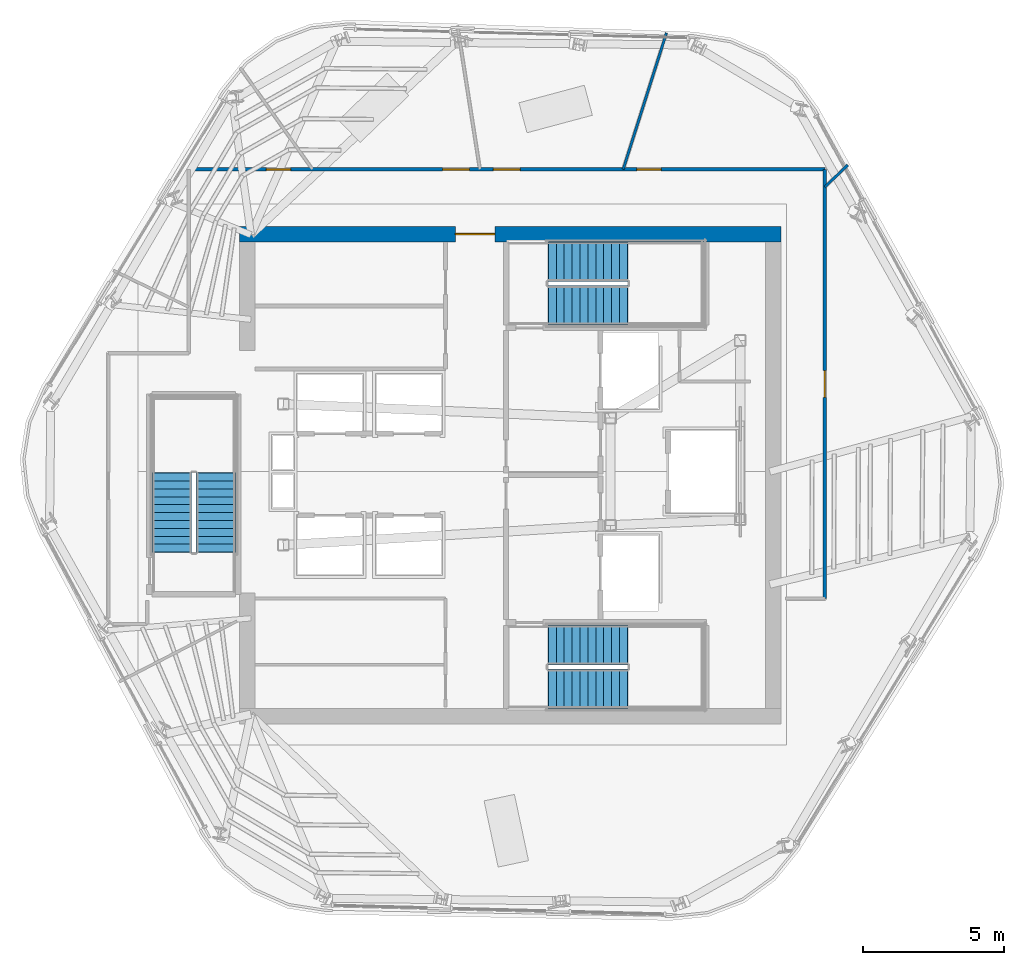
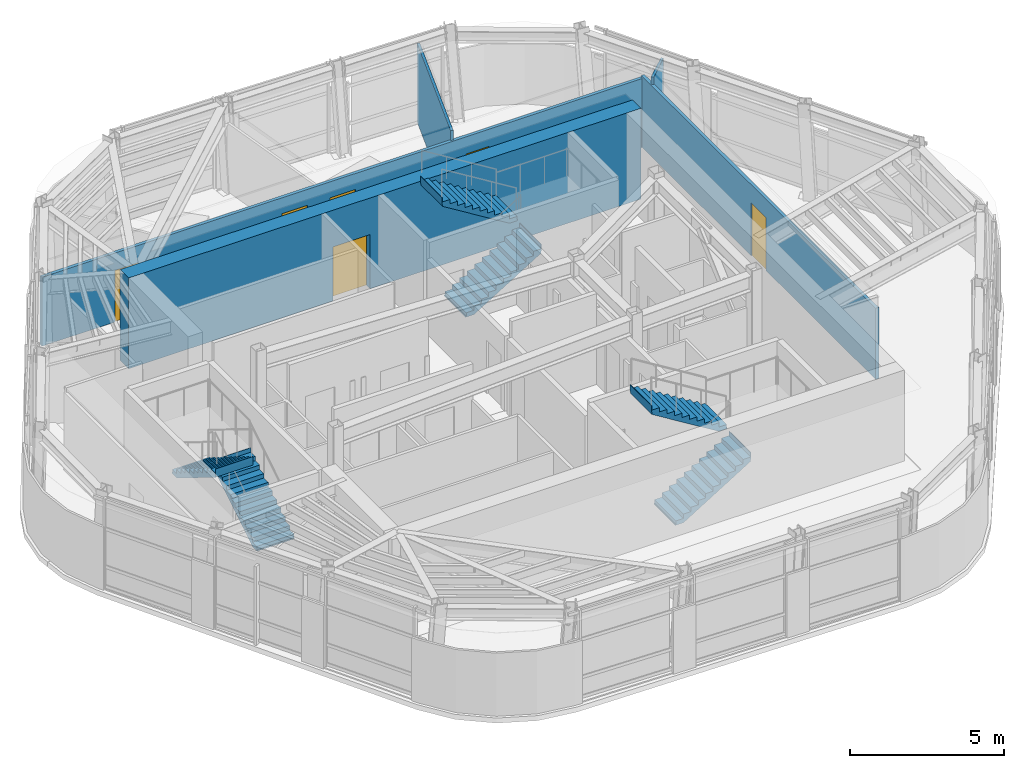
# One storey, part 8 of 13: 6 doors, 6 stair flights, 5 walls, 6 openings, 3 elements without a shape of their own.
"""IFC4 building model written with IfcOpenShell, lengths in metres."""

from ifc_helpers import new_model, si_unit, direction, frame, frame_2d, origin, place, context, subcontext, project, spatial, polyline, rectangle, outline, extrude, material, layer, layer_set, type_object, element, fill, aggregate, save


model = new_model("IFC4")

# Units and contexts
model_context = context("Model", 3, precision=1e-05, world=origin(), true_north=direction((0.0, 1.0)))
body_context = subcontext(model_context, "Body", "Model", "MODEL_VIEW")
ifc_project = project(units=[si_unit("LENGTHUNIT", "METRE"), si_unit("AREAUNIT", "SQUARE_METRE"), si_unit("VOLUMEUNIT", "CUBIC_METRE"), si_unit("PLANEANGLEUNIT", "RADIAN"), si_unit("MASSUNIT", "GRAM", prefix="KILO")], contexts=[model_context])

# Site, building, storey
site_placement = place(None, origin())
site = spatial("IfcSite", under=ifc_project, at=site_placement, CompositionType="ELEMENT")
building_placement = place(site_placement, origin())
building = spatial("IfcBuilding", under=site, at=building_placement, Name="Valkerne Bourse Tower", CompositionType="ELEMENT")
storey_placement = place(building_placement, frame((0.0, 0.0, 277.39990234375)))
storey = spatial("IfcBuildingStorey", under=building, at=storey_placement, Name="L70", CompositionType="ELEMENT", Elevation=277.39990234375)

# Wall, opening, door
ifc_material_1 = material(Name="Concrete C55/67", Category="concrete")
ifc_layer_1 = layer(ifc_material_1, 0.550048828125)
ifc_layer_set_1 = layer_set([ifc_layer_1], Name="Concrete C55/67")
wall_type_1 = type_object("IfcWallType", Name="W-CORE-550", PredefinedType="SHEAR", material=ifc_layer_set_1)
wall_1_placement = place(storey_placement, frame((37.199951171875, 35.425048828125, 0.0), z_axis=(0.0, 0.0, 1.0), x_axis=(1.0, 0.0, 0.0)))
wall_1 = element("IfcWall", 1, at=wall_1_placement, inside=storey, type_object=wall_type_1, Name="L70 Core Shear Wall NORTH", PredefinedType="SHEAR", context=body_context, shape_type="SweptSolid", body=[
    extrude(rectangle(XDim=19.199951171875, YDim=0.550048828125, at=frame_2d((9.60009765625, 0.0))), origin(), (0.0, 0.0, 1.0), 3.60009765625),
])
opening_1_placement = place(wall_1_placement, frame((7.64990234375, 0.0, 0.0)))
opening_1 = element("IfcOpeningElement", 2, at=opening_1_placement, cuts=wall_1, Name="Opening D-PL-1400", PredefinedType="OPENING", context=body_context, shape_type="SweptSolid", body=[
    extrude(rectangle(XDim=1.39990234375, YDim=2.14990234375, at=frame_2d((0.699951171875, 1.074951171875))), frame((0.0, 0.284912109375, 0.0), z_axis=(0.0, -1.0, 0.0), x_axis=(1.0, 0.0, 0.0)), (0.0, 0.0, 1.0), 0.570068359375),
])
ifc_material_2 = material(Name="Galvanised Painted Steel", Category="steel")
door_type_1 = type_object("IfcDoorType", Name="DR-PLT-1400", OperationType="DOUBLE_DOOR_SINGLE_SWING", PredefinedType="DOOR", material=ifc_material_2)
door_1_placement = place(opening_1_placement, origin())
door_1 = element("IfcDoor", 3, at=door_1_placement, inside=storey, type_object=door_type_1, Name="L70 North Passenger Lift Hall Fire Door", OperationType="DOUBLE_DOOR_SINGLE_SWING", OverallHeight=2.14990234375, OverallWidth=1.39990234375, PredefinedType="DOOR", context=body_context, shape_type="SweptSolid", body=[
    extrude(rectangle(XDim=1.39990234375, YDim=2.14990234375, at=frame_2d((0.699951171875, 1.074951171875))), frame((0.0, 0.02490234375, 0.0), z_axis=(0.0, -1.0, 0.0), x_axis=(1.0, 0.0, 0.0)), (0.0, 0.0, 1.0), 0.050048828125),
])
fill(opening_1, door_1)

# Wall, openings, doors
ifc_material_3 = material(Name="Gypsum Board Steel-Stud Partition", Category="steel")
ifc_layer_2 = layer(ifc_material_3, 0.117919921875)
ifc_layer_set_2 = layer_set([ifc_layer_2], Name="Gypsum Board Steel-Stud Partition")
wall_type_2 = type_object("IfcWallType", Name="W-CORR-140", PredefinedType="PARTITIONING", material=ifc_layer_set_2)
wall_2_placement = place(storey_placement, frame((35.39990234375, 37.719970703125, 0.0), z_axis=(0.0, 0.0, 1.0), x_axis=(1.0, 0.0, 0.0)))
wall_2 = element("IfcWall", 4, at=wall_2_placement, inside=storey, type_object=wall_type_2, Name="L70 Corridor Enclosure Wall", PredefinedType="PARTITIONING", context=body_context, shape_type="SweptSolid", body=[
    extrude(rectangle(XDim=22.550048828125, YDim=0.117919921875, at=frame_2d((11.27490234375, 0.0))), origin(), (0.0, 0.0, 1.0), 2.7314453125),
])
opening_2_placement = place(wall_2_placement, frame((2.7451171875, 0.0, 0.0)))
opening_2 = element("IfcOpeningElement", 5, at=opening_2_placement, cuts=wall_2, Name="Opening D-WC-900", PredefinedType="OPENING", context=body_context, shape_type="SweptSolid", body=[
    extrude(rectangle(XDim=0.860107421875, YDim=2.050048828125, at=frame_2d((0.43017578125, 1.02490234375))), frame((0.0, 0.06884765625, 0.0), z_axis=(0.0, -1.0, 0.0), x_axis=(1.0, 0.0, 0.0)), (0.0, 0.0, 1.0), 0.137939453125),
])
opening_3_placement = place(wall_2_placement, frame((15.885009765625, 0.0, 0.0)))
opening_3 = element("IfcOpeningElement", 6, at=opening_3_placement, cuts=wall_2, Name="Opening D-WC-900", PredefinedType="OPENING", context=body_context, shape_type="SweptSolid", body=[
    extrude(rectangle(XDim=0.860107421875, YDim=2.050048828125, at=frame_2d((0.43017578125, 1.02490234375))), frame((0.0, 0.06884765625, 0.0), z_axis=(0.0, -1.0, 0.0), x_axis=(1.0, 0.0, 0.0)), (0.0, 0.0, 1.0), 0.137939453125),
])
opening_4_placement = place(wall_2_placement, frame((10.800048828125, 0.0, 0.0)))
opening_4 = element("IfcOpeningElement", 7, at=opening_4_placement, cuts=wall_2, Name="Opening D-OF-950", PredefinedType="OPENING", context=body_context, shape_type="SweptSolid", body=[
    extrude(rectangle(XDim=0.949951171875, YDim=2.10009765625, at=frame_2d((0.47509765625, 1.050048828125))), frame((0.0, 0.06884765625, 0.0), z_axis=(0.0, -1.0, 0.0), x_axis=(1.0, 0.0, 0.0)), (0.0, 0.0, 1.0), 0.137939453125),
])
opening_5_placement = place(wall_2_placement, frame((9.0, 0.0, 0.0)))
opening_5 = element("IfcOpeningElement", 8, at=opening_5_placement, cuts=wall_2, Name="Opening D-OF-950", PredefinedType="OPENING", context=body_context, shape_type="SweptSolid", body=[
    extrude(rectangle(XDim=0.949951171875, YDim=2.10009765625, at=frame_2d((0.47509765625, 1.050048828125))), frame((0.0, 0.06884765625, 0.0), z_axis=(0.0, -1.0, 0.0), x_axis=(1.0, 0.0, 0.0)), (0.0, 0.0, 1.0), 0.137939453125),
])
ifc_material_4 = material(Name="Architectural White Oak Timber", Category="wood")
door_type_2 = type_object("IfcDoorType", Name="DR-OFF-950", OperationType="NOTDEFINED", PredefinedType="DOOR", material=ifc_material_4)
door_2_placement = place(opening_4_placement, origin())
door_2 = element("IfcDoor", 9, at=door_2_placement, inside=storey, type_object=door_type_2, Name="L70 L70 Trading Desk Office 3 Door", OperationType="SINGLE_SWING_LEFT", OverallHeight=2.10009765625, OverallWidth=0.949951171875, PredefinedType="DOOR", context=body_context, shape_type="SweptSolid", body=[
    extrude(rectangle(XDim=0.949951171875, YDim=2.10009765625, at=frame_2d((0.47509765625, 1.050048828125))), frame((0.0, 0.02490234375, 0.0), z_axis=(0.0, -1.0, 0.0), x_axis=(1.0, 0.0, 0.0)), (0.0, 0.0, 1.0), 0.050048828125),
])
fill(opening_4, door_2)
door_3_placement = place(opening_5_placement, origin())
door_3 = element("IfcDoor", 10, at=door_3_placement, inside=storey, type_object=door_type_2, Name="L70 L70 Trading Desk Office 4 Door", OperationType="SINGLE_SWING_LEFT", OverallHeight=2.10009765625, OverallWidth=0.949951171875, PredefinedType="DOOR", context=body_context, shape_type="SweptSolid", body=[
    extrude(rectangle(XDim=0.949951171875, YDim=2.10009765625, at=frame_2d((0.47509765625, 1.050048828125))), frame((0.0, 0.02490234375, 0.0), z_axis=(0.0, -1.0, 0.0), x_axis=(1.0, 0.0, 0.0)), (0.0, 0.0, 1.0), 0.050048828125),
])
fill(opening_5, door_3)
door_type_3 = type_object("IfcDoorType", Name="DR-WC-900", OperationType="NOTDEFINED", PredefinedType="DOOR", material=ifc_material_4)
door_4_placement = place(opening_2_placement, origin())
door_4 = element("IfcDoor", 11, at=door_4_placement, inside=storey, type_object=door_type_3, Name="L70 L70 Men Bathroom WC 1 Door", OperationType="SINGLE_SWING_LEFT", OverallHeight=2.050048828125, OverallWidth=0.860107421875, PredefinedType="DOOR", context=body_context, shape_type="SweptSolid", body=[
    extrude(rectangle(XDim=0.860107421875, YDim=2.050048828125, at=frame_2d((0.43017578125, 1.02490234375))), frame((0.0, 0.02490234375, 0.0), z_axis=(0.0, -1.0, 0.0), x_axis=(1.0, 0.0, 0.0)), (0.0, 0.0, 1.0), 0.050048828125),
])
fill(opening_2, door_4)
door_5_placement = place(opening_3_placement, origin())
door_5 = element("IfcDoor", 12, at=door_5_placement, inside=storey, type_object=door_type_3, Name="L70 L70 Women Restroom & Shower WC 2 Door", OperationType="SINGLE_SWING_LEFT", OverallHeight=2.050048828125, OverallWidth=0.860107421875, PredefinedType="DOOR", context=body_context, shape_type="SweptSolid", body=[
    extrude(rectangle(XDim=0.860107421875, YDim=2.050048828125, at=frame_2d((0.43017578125, 1.02490234375))), frame((0.0, 0.02490234375, 0.0), z_axis=(0.0, -1.0, 0.0), x_axis=(1.0, 0.0, 0.0)), (0.0, 0.0, 1.0), 0.050048828125),
])
fill(opening_3, door_5)

# Wall, opening, door
wall_3_placement = place(storey_placement, frame((57.949951171875, 37.719970703125, 0.0), z_axis=(0.0, 0.0, 1.0), x_axis=(0.0, -1.0, 0.0)))
wall_3 = element("IfcWall", 13, at=wall_3_placement, inside=storey, type_object=wall_type_2, Name="L70 Corridor Enclosure Wall", PredefinedType="PARTITIONING", context=body_context, shape_type="SweptSolid", body=[
    extrude(rectangle(XDim=15.219970703125, YDim=0.117919921875, at=frame_2d((7.60986328125, 0.0))), origin(), (0.0, 0.0, 1.0), 2.820556640625),
])
opening_6_placement = place(wall_3_placement, frame((7.135009765625, 0.0, 0.0)))
opening_6 = element("IfcOpeningElement", 14, at=opening_6_placement, cuts=wall_3, Name="Opening D-OF-950", PredefinedType="OPENING", context=body_context, shape_type="SweptSolid", body=[
    extrude(rectangle(XDim=0.949951171875, YDim=2.10009765625, at=frame_2d((0.47509765625, 1.050048828125))), frame((0.0, 0.06884765625, 0.0), z_axis=(0.0, -1.0, 0.0), x_axis=(1.0, 0.0, 0.0)), (0.0, 0.0, 1.0), 0.137939453125),
])
door_6_placement = place(opening_6_placement, origin())
door_6 = element("IfcDoor", 15, at=door_6_placement, inside=storey, type_object=door_type_2, Name="L70 L70 Commodities Market Showroom 6 Door", OperationType="SINGLE_SWING_RIGHT", OverallHeight=2.10009765625, OverallWidth=0.949951171875, PredefinedType="DOOR", context=body_context, shape_type="SweptSolid", body=[
    extrude(rectangle(XDim=0.949951171875, YDim=2.10009765625, at=frame_2d((0.47509765625, 1.050048828125))), frame((0.0, 0.02490234375, 0.0), z_axis=(0.0, -1.0, 0.0), x_axis=(1.0, 0.0, 0.0)), (0.0, 0.0, 1.0), 0.050048828125),
])
fill(opening_6, door_6)

# Walls
ifc_layer_3 = layer(ifc_material_3, 0.092041015625)
ifc_layer_set_3 = layer_set([ifc_layer_3], Name="Gypsum Board Steel-Stud Partition")
wall_type_3 = type_object("IfcWallType", Name="W-PART-115", PredefinedType="PARTITIONING", material=ifc_layer_set_3)
wall_4_placement = place(storey_placement, frame((50.80224609375, 37.72509765625, 0.0), z_axis=(0.0, 0.0, 1.0), x_axis=(0.302361194891, 0.953193426238, 0.0)))
element("IfcWall", 16, at=wall_4_placement, inside=storey, type_object=wall_type_3, Name="L70 Suite Partition P01", PredefinedType="PARTITIONING", context=body_context, shape_type="SweptSolid", body=[
    extrude(rectangle(XDim=5.072265625, YDim=0.092041015625, at=frame_2d((2.5361328125, 0.0))), origin(), (0.0, 0.0, 1.0), 3.114990234375),
])
wall_5_placement = place(storey_placement, frame((57.955078125, 37.0986328125, 0.0), z_axis=(0.0, 0.0, 1.0), x_axis=(0.722519623707, 0.691350412858, 0.0)))
element("IfcWall", 17, at=wall_5_placement, inside=storey, type_object=wall_type_3, Name="L70 Suite Partition P06", PredefinedType="PARTITIONING", context=body_context, shape_type="SweptSolid", body=[
    extrude(rectangle(XDim=1.1279296875, YDim=0.092041015625, at=frame_2d((0.56396484375, 0.0))), origin(), (0.0, 0.0, 1.0), 3.114990234375),
])

# Stair, stair flights
ifc_material_5 = material(Name="Concrete C40/50", Category="concrete")
stair_type = type_object("IfcStairType", Name="ST-CORE-1400", PredefinedType="HALF_TURN_STAIR", material=ifc_material_5)
stair_1_placement = place(storey_placement, origin())
stair_1 = element("IfcStair", 18, at=stair_1_placement, inside=storey, type_object=stair_type, Name="L70 ST-1", PredefinedType="HALF_TURN_STAIR")
stair_flight_type = type_object("IfcStairFlightType", Name="STF-CORE-1400", PredefinedType="STRAIGHT", material=ifc_material_5)
stair_flight_1_placement = place(storey_placement, frame((48.14990234375, 19.300048828125, 0.0), z_axis=(0.0, 0.0, 1.0), x_axis=(1.0, 0.0, 0.0)))
stair_flight_1 = element("IfcStairFlight", 19, at=stair_flight_1_placement, type_object=stair_flight_type, Name="ST-1 flight 1", NumberOfRisers=11, NumberOfTreads=10, PredefinedType="STRAIGHT", RiserHeight=0.172727273, TreadLength=0.28, context=body_context, shape_type="SweptSolid", body=[
    extrude(outline(polyline([(-0.02001953125, 0.0), (-0.02001953125, 0.044921875), (0.0, 0.044921875), (0.0, 0.172607421875), (0.280029296875, 0.172607421875), (0.280029296875, 0.345458984375), (0.56005859375, 0.345458984375), (0.56005859375, 0.51806640625), (0.840087890625, 0.51806640625), (0.840087890625, 0.69091796875), (1.1201171875, 0.69091796875), (1.1201171875, 0.863525390625), (1.39990234375, 0.863525390625), (1.39990234375, 1.036376953125), (1.679931640625, 1.036376953125), (1.679931640625, 1.208984375), (1.9599609375, 1.208984375), (1.9599609375, 1.3818359375), (2.239990234375, 1.3818359375), (2.239990234375, 1.554443359375), (2.52001953125, 1.554443359375), (2.52001953125, 1.727294921875), (2.800048828125, 1.727294921875), (2.800048828125, 1.89990234375), (2.820068359375, 1.89990234375), (2.820068359375, 1.780029296875), (2.800048828125, 1.551025390625), (0.285400390625, 0.0), (-0.02001953125, 0.0)])), frame((0.0, 0.699951171875, 0.0), z_axis=(0.0, -1.0, 0.0), x_axis=(1.0, 0.0, 0.0)), (0.0, 0.0, 1.0), 1.39990234375),
])
stair_flight_2_placement = place(storey_placement, frame((50.949951171875, 20.85009765625, 1.900146484375), z_axis=(0.0, 0.0, 1.0), x_axis=(-1.0, 0.0, 0.0)))
stair_flight_2 = element("IfcStairFlight", 20, at=stair_flight_2_placement, type_object=stair_flight_type, Name="ST-1 flight 2", NumberOfRisers=11, NumberOfTreads=10, PredefinedType="STRAIGHT", RiserHeight=0.172727273, TreadLength=0.28, context=body_context, shape_type="SweptSolid", body=[
    extrude(outline(polyline([(-0.02001953125, 0.0), (-0.02001953125, 0.044921875), (0.0, 0.044921875), (0.0, 0.172607421875), (0.280029296875, 0.172607421875), (0.280029296875, 0.345458984375), (0.56005859375, 0.345458984375), (0.56005859375, 0.51806640625), (0.840087890625, 0.51806640625), (0.840087890625, 0.69091796875), (1.1201171875, 0.69091796875), (1.1201171875, 0.863525390625), (1.39990234375, 0.863525390625), (1.39990234375, 1.036376953125), (1.679931640625, 1.036376953125), (1.679931640625, 1.208984375), (1.9599609375, 1.208984375), (1.9599609375, 1.3818359375), (2.239990234375, 1.3818359375), (2.239990234375, 1.554443359375), (2.52001953125, 1.554443359375), (2.52001953125, 1.727294921875), (2.800048828125, 1.727294921875), (2.800048828125, 1.89990234375), (2.820068359375, 1.89990234375), (2.820068359375, 1.780029296875), (2.800048828125, 1.551025390625), (0.285400390625, 0.0), (-0.02001953125, 0.0)])), frame((0.0, 0.699951171875, 0.0), z_axis=(0.0, -1.0, 0.0), x_axis=(1.0, 0.0, 0.0)), (0.0, 0.0, 1.0), 1.39990234375),
])
aggregate(stair_1, [stair_flight_1, stair_flight_2])

stair_2_placement = place(storey_placement, origin())
stair_2 = element("IfcStair", 21, at=stair_2_placement, inside=storey, type_object=stair_type, Name="L70 ST-2", PredefinedType="HALF_TURN_STAIR")
stair_flight_3_placement = place(storey_placement, frame((48.14990234375, 32.89990234375, 0.0), z_axis=(0.0, 0.0, 1.0), x_axis=(1.0, 0.0, 0.0)))
stair_flight_3 = element("IfcStairFlight", 22, at=stair_flight_3_placement, type_object=stair_flight_type, Name="ST-2 flight 1", NumberOfRisers=11, NumberOfTreads=10, PredefinedType="STRAIGHT", RiserHeight=0.172727273, TreadLength=0.28, context=body_context, shape_type="SweptSolid", body=[
    extrude(outline(polyline([(-0.02001953125, 0.0), (-0.02001953125, 0.044921875), (0.0, 0.044921875), (0.0, 0.172607421875), (0.280029296875, 0.172607421875), (0.280029296875, 0.345458984375), (0.56005859375, 0.345458984375), (0.56005859375, 0.51806640625), (0.840087890625, 0.51806640625), (0.840087890625, 0.69091796875), (1.1201171875, 0.69091796875), (1.1201171875, 0.863525390625), (1.39990234375, 0.863525390625), (1.39990234375, 1.036376953125), (1.679931640625, 1.036376953125), (1.679931640625, 1.208984375), (1.9599609375, 1.208984375), (1.9599609375, 1.3818359375), (2.239990234375, 1.3818359375), (2.239990234375, 1.554443359375), (2.52001953125, 1.554443359375), (2.52001953125, 1.727294921875), (2.800048828125, 1.727294921875), (2.800048828125, 1.89990234375), (2.820068359375, 1.89990234375), (2.820068359375, 1.780029296875), (2.800048828125, 1.551025390625), (0.285400390625, 0.0), (-0.02001953125, 0.0)])), frame((0.0, 0.699951171875, 0.0), z_axis=(0.0, -1.0, 0.0), x_axis=(1.0, 0.0, 0.0)), (0.0, 0.0, 1.0), 1.39990234375),
])
stair_flight_4_placement = place(storey_placement, frame((50.949951171875, 34.449951171875, 1.900146484375), z_axis=(0.0, 0.0, 1.0), x_axis=(-1.0, 0.0, 0.0)))
stair_flight_4 = element("IfcStairFlight", 23, at=stair_flight_4_placement, type_object=stair_flight_type, Name="ST-2 flight 2", NumberOfRisers=11, NumberOfTreads=10, PredefinedType="STRAIGHT", RiserHeight=0.172727273, TreadLength=0.28, context=body_context, shape_type="SweptSolid", body=[
    extrude(outline(polyline([(-0.02001953125, 0.0), (-0.02001953125, 0.044921875), (0.0, 0.044921875), (0.0, 0.172607421875), (0.280029296875, 0.172607421875), (0.280029296875, 0.345458984375), (0.56005859375, 0.345458984375), (0.56005859375, 0.51806640625), (0.840087890625, 0.51806640625), (0.840087890625, 0.69091796875), (1.1201171875, 0.69091796875), (1.1201171875, 0.863525390625), (1.39990234375, 0.863525390625), (1.39990234375, 1.036376953125), (1.679931640625, 1.036376953125), (1.679931640625, 1.208984375), (1.9599609375, 1.208984375), (1.9599609375, 1.3818359375), (2.239990234375, 1.3818359375), (2.239990234375, 1.554443359375), (2.52001953125, 1.554443359375), (2.52001953125, 1.727294921875), (2.800048828125, 1.727294921875), (2.800048828125, 1.89990234375), (2.820068359375, 1.89990234375), (2.820068359375, 1.780029296875), (2.800048828125, 1.551025390625), (0.285400390625, 0.0), (-0.02001953125, 0.0)])), frame((0.0, 0.699951171875, 0.0), z_axis=(0.0, -1.0, 0.0), x_axis=(1.0, 0.0, 0.0)), (0.0, 0.0, 1.0), 1.39990234375),
])
aggregate(stair_2, [stair_flight_3, stair_flight_4])

stair_3_placement = place(storey_placement, origin())
stair_3 = element("IfcStair", 24, at=stair_3_placement, inside=storey, type_object=stair_type, Name="L70 ST-3", PredefinedType="HALF_TURN_STAIR")
stair_flight_5_placement = place(storey_placement, frame((36.35009765625, 24.14990234375, 0.0), z_axis=(0.0, 0.0, 1.0), x_axis=(0.0, 1.0, 0.0)))
stair_flight_5 = element("IfcStairFlight", 25, at=stair_flight_5_placement, type_object=stair_flight_type, Name="ST-3 flight 1", NumberOfRisers=11, NumberOfTreads=10, PredefinedType="STRAIGHT", RiserHeight=0.172727273, TreadLength=0.28, context=body_context, shape_type="SweptSolid", body=[
    extrude(outline(polyline([(-0.02001953125, 0.0), (-0.02001953125, 0.044921875), (0.0, 0.044921875), (0.0, 0.172607421875), (0.280029296875, 0.172607421875), (0.280029296875, 0.345458984375), (0.56005859375, 0.345458984375), (0.56005859375, 0.51806640625), (0.840087890625, 0.51806640625), (0.840087890625, 0.69091796875), (1.1201171875, 0.69091796875), (1.1201171875, 0.863525390625), (1.39990234375, 0.863525390625), (1.39990234375, 1.036376953125), (1.679931640625, 1.036376953125), (1.679931640625, 1.208984375), (1.9599609375, 1.208984375), (1.9599609375, 1.3818359375), (2.239990234375, 1.3818359375), (2.239990234375, 1.554443359375), (2.52001953125, 1.554443359375), (2.52001953125, 1.727294921875), (2.800048828125, 1.727294921875), (2.800048828125, 1.89990234375), (2.820068359375, 1.89990234375), (2.820068359375, 1.780029296875), (2.800048828125, 1.551025390625), (0.285400390625, 0.0), (-0.02001953125, 0.0)])), frame((0.0, 0.699951171875, 0.0), z_axis=(0.0, -1.0, 0.0), x_axis=(1.0, 0.0, 0.0)), (0.0, 0.0, 1.0), 1.39990234375),
])
stair_flight_6_placement = place(storey_placement, frame((34.800048828125, 26.949951171875, 1.900146484375), z_axis=(0.0, 0.0, 1.0), x_axis=(0.0, -1.0, 0.0)))
stair_flight_6 = element("IfcStairFlight", 26, at=stair_flight_6_placement, type_object=stair_flight_type, Name="ST-3 flight 2", NumberOfRisers=11, NumberOfTreads=10, PredefinedType="STRAIGHT", RiserHeight=0.172727273, TreadLength=0.28, context=body_context, shape_type="SweptSolid", body=[
    extrude(outline(polyline([(-0.02001953125, 0.0), (-0.02001953125, 0.044921875), (0.0, 0.044921875), (0.0, 0.172607421875), (0.280029296875, 0.172607421875), (0.280029296875, 0.345458984375), (0.56005859375, 0.345458984375), (0.56005859375, 0.51806640625), (0.840087890625, 0.51806640625), (0.840087890625, 0.69091796875), (1.1201171875, 0.69091796875), (1.1201171875, 0.863525390625), (1.39990234375, 0.863525390625), (1.39990234375, 1.036376953125), (1.679931640625, 1.036376953125), (1.679931640625, 1.208984375), (1.9599609375, 1.208984375), (1.9599609375, 1.3818359375), (2.239990234375, 1.3818359375), (2.239990234375, 1.554443359375), (2.52001953125, 1.554443359375), (2.52001953125, 1.727294921875), (2.800048828125, 1.727294921875), (2.800048828125, 1.89990234375), (2.820068359375, 1.89990234375), (2.820068359375, 1.780029296875), (2.800048828125, 1.551025390625), (0.285400390625, 0.0), (-0.02001953125, 0.0)])), frame((0.0, 0.699951171875, 0.0), z_axis=(0.0, -1.0, 0.0), x_axis=(1.0, 0.0, 0.0)), (0.0, 0.0, 1.0), 1.39990234375),
])
aggregate(stair_3, [stair_flight_5, stair_flight_6])

save(model, "model.ifc")
